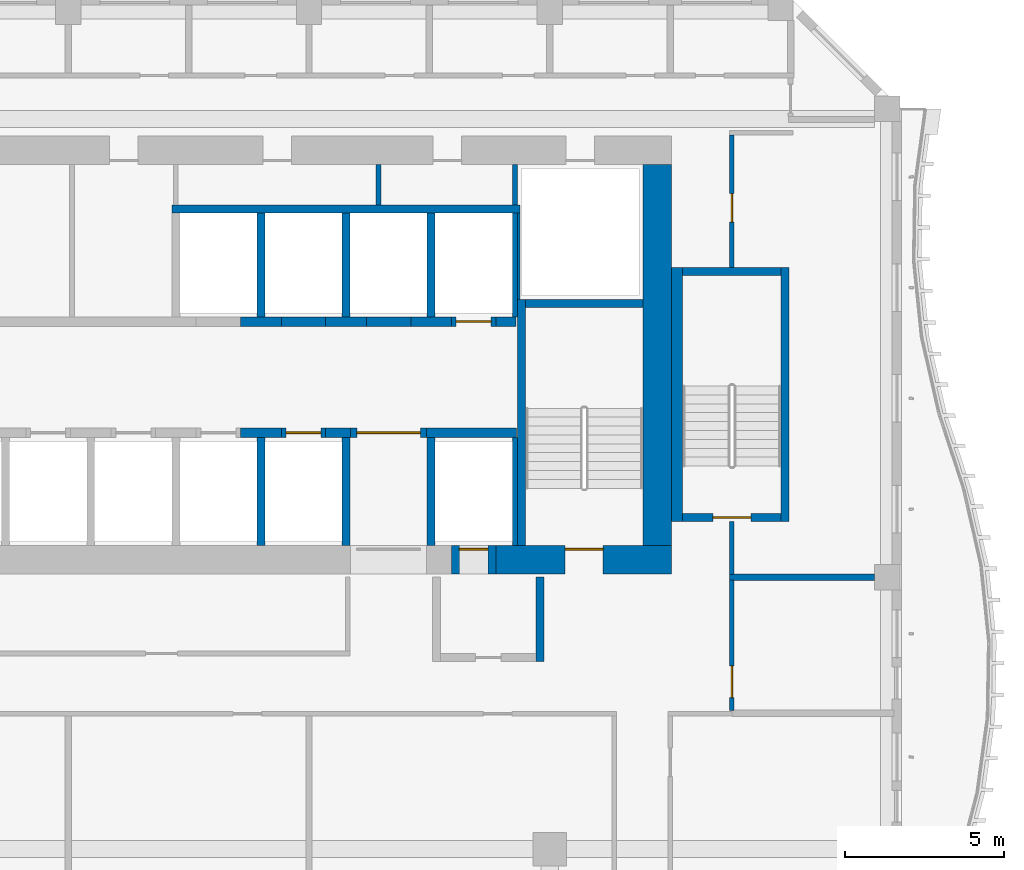
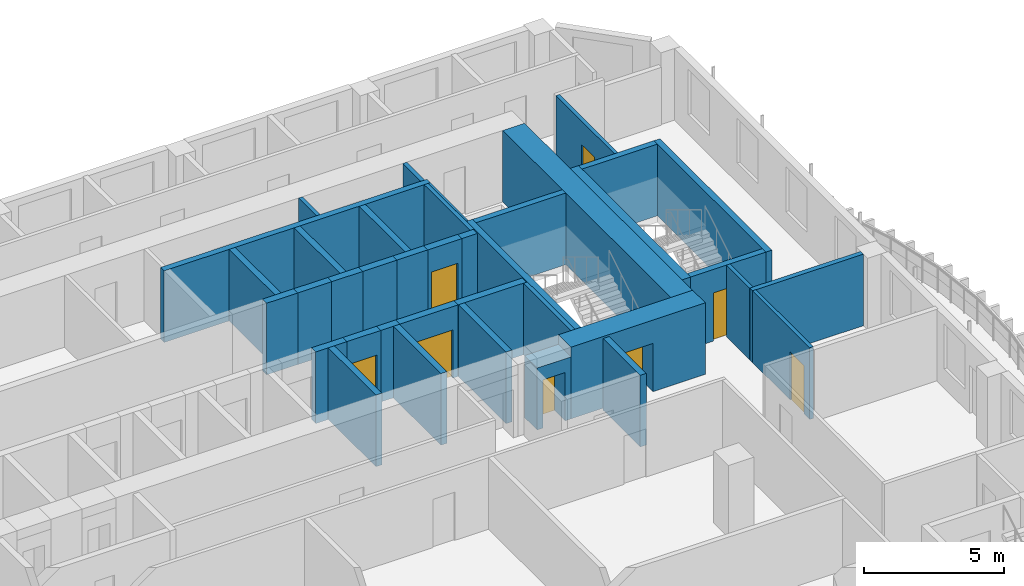
# One storey, part 10 of 24: 38 walls, 8 doors, 8 openings.
"""IFC4 building model written with IfcOpenShell, lengths in metres."""

import ifcopenshell
import ifcopenshell.guid

model = None  # the IFC model being written
_history = None  # IfcOwnerHistory: only IFC2X3 demands one
_inside = {}  # id of a spatial element -> (the spatial element, [elements in it])
_under = {}  # id of a project, library or spatial element -> (it, [spatial elements below it])
_declared = {}  # id of a project -> (the project, [libraries it declares])
_typed = {}  # id of a type object -> (the type object, [elements of that type])
_made_of = {}  # id of a material, layer set ... -> (it, [elements and type objects made of it])


def new_model(schema):
    """Start an empty IFC model of exactly this schema.

    Asked for "IFC4X3", IfcOpenShell would pick the latest addendum, in which some entities
    have other attributes; the version numbers below select the first issue.
    IFC2X3 requires an IfcOwnerHistory on every rooted entity: one is made here for all.
    """
    global model, _history
    if schema == "IFC4X3":
        model = ifcopenshell.file(schema_version=(4, 3, 0, 0))
    else:
        model = ifcopenshell.file(schema=schema)
    _inside.clear()
    _under.clear()
    _declared.clear()
    _typed.clear()
    _made_of.clear()
    _history = None
    if model.schema == "IFC2X3":
        org = make("IfcOrganization", Name="unknown")
        user = make(
            "IfcPersonAndOrganization",
            ThePerson=make("IfcPerson", FamilyName="unknown"),
            TheOrganization=org,
        )
        app = make(
            "IfcApplication",
            ApplicationDeveloper=org,
            Version="unknown",
            ApplicationFullName="unknown",
            ApplicationIdentifier="unknown",
        )
        _history = make(
            "IfcOwnerHistory",
            OwningUser=user,
            OwningApplication=app,
            ChangeAction="ADDED",
            CreationDate=0,
        )
    return model


def make(cls, **values):
    """One entity of the class cls with the attributes given. An attribute that is None is left unset."""
    return model.create_entity(
        cls, **{name: value for name, value in values.items() if value is not None}
    )


def rooted(cls, **values):
    """An entity with a GlobalId (a new one), such as an element, a storey or a relation."""
    return make(cls, GlobalId=ifcopenshell.guid.new(), OwnerHistory=_history, **values)


def si_unit(unit_type, name, prefix=None):
    """IfcSIUnit, for example si_unit("LENGTHUNIT", "METRE", prefix="MILLI")."""
    return make("IfcSIUnit", UnitType=unit_type, Prefix=prefix, Name=name)


def assignment(units):
    """IfcUnitAssignment: the units of a project."""
    return None if units is None else make("IfcUnitAssignment", Units=units)


def point(xyz):
    """IfcCartesianPoint."""
    return None if xyz is None else make("IfcCartesianPoint", Coordinates=xyz)


def direction(xyz):
    """IfcDirection."""
    return None if xyz is None else make("IfcDirection", DirectionRatios=xyz)


def frame(location, z_axis=None, x_axis=None):
    """IfcAxis2Placement3D, a coordinate frame: its origin and axes. An axis left out is left unset."""
    return make(
        "IfcAxis2Placement3D",
        Location=point(location),
        Axis=direction(z_axis),
        RefDirection=direction(x_axis),
    )


def frame_2d(location, x_axis=None):
    """IfcAxis2Placement2D, a coordinate frame in the plane: its origin and x axis."""
    return make(
        "IfcAxis2Placement2D", Location=point(location), RefDirection=direction(x_axis)
    )


def origin():
    """The frame at (0, 0, 0) with its axes left unset."""
    return frame((0.0, 0.0, 0.0))


def place(relative_to, where):
    """IfcLocalPlacement: puts the frame where relative to a parent placement (None: the world)."""
    return make(
        "IfcLocalPlacement", PlacementRelTo=relative_to, RelativePlacement=where
    )


def context(
    kind, dimensions, precision=None, world=None, true_north=None, identifier=None
):
    """IfcGeometricRepresentationContext, for example the 3D "Model" context."""
    return make(
        "IfcGeometricRepresentationContext",
        ContextIdentifier=identifier,
        ContextType=kind,
        CoordinateSpaceDimension=dimensions,
        Precision=precision,
        WorldCoordinateSystem=world,
        TrueNorth=true_north,
    )


def subcontext(parent, identifier, kind, view, scale=None):
    """IfcGeometricRepresentationSubContext, for example "Body" below "Model"."""
    return make(
        "IfcGeometricRepresentationSubContext",
        ContextIdentifier=identifier,
        ContextType=kind,
        ParentContext=parent,
        TargetScale=scale,
        TargetView=view,
    )


def project(units=None, contexts=None):
    """IfcProject with its units and contexts."""
    return rooted(
        "IfcProject",
        Name="project",
        RepresentationContexts=contexts,
        UnitsInContext=assignment(units),
    )


def spatial(cls, under=None, at=None, **own):
    """A site, building, storey or space (cls), placed at a placement, below another one or the project."""
    s = rooted(cls, ObjectPlacement=at, **own)
    if under is not None:
        _under.setdefault(under.id(), (under, []))[1].append(s)
    return s


def profile(cls, at=None, kind="AREA", **sizes):
    """A parametric profile (cls). Its sizes go by their IFC names, for example OverallWidth=200.0."""
    return make(cls, ProfileType=kind, Position=at, **sizes)


def rectangle(**sizes):
    """IfcRectangleProfileDef."""
    return profile("IfcRectangleProfileDef", **sizes)


def extrude(swept, where, along, depth):
    """IfcExtrudedAreaSolid: the profile swept, set in the frame where, extruded along a direction by depth."""
    return make(
        "IfcExtrudedAreaSolid",
        SweptArea=swept,
        Position=where,
        ExtrudedDirection=direction(along),
        Depth=depth,
    )


def shape(context_of_items, identifier, shape_type, items):
    """IfcShapeRepresentation: the items that make up one representation, for example the "Body"."""
    return make(
        "IfcShapeRepresentation",
        ContextOfItems=context_of_items,
        RepresentationIdentifier=identifier,
        RepresentationType=shape_type,
        Items=items,
    )


def source(mapping_origin, context_of_items, identifier, shape_type, items):
    """IfcRepresentationMap: a shape defined once, which mapped items show again and again."""
    return make(
        "IfcRepresentationMap",
        MappingOrigin=mapping_origin,
        MappedRepresentation=shape(context_of_items, identifier, shape_type, items),
    )


def transform(
    local_origin,
    x_axis=None,
    y_axis=None,
    z_axis=None,
    scale=None,
    scale2=None,
    scale3=None,
    uniform=True,
):
    """IfcCartesianTransformationOperator3D, or its non-uniform kind. x_axis, y_axis, z_axis: its Axis1, 2, 3."""
    if uniform:
        return make(
            "IfcCartesianTransformationOperator3D",
            Axis1=direction(x_axis),
            Axis2=direction(y_axis),
            LocalOrigin=point(local_origin),
            Scale=scale,
            Axis3=direction(z_axis),
        )
    return make(
        "IfcCartesianTransformationOperator3DnonUniform",
        Axis1=direction(x_axis),
        Axis2=direction(y_axis),
        LocalOrigin=point(local_origin),
        Scale=scale,
        Axis3=direction(z_axis),
        Scale2=scale2,
        Scale3=scale3,
    )


def mapped(mapping_source, mapping_target):
    """IfcMappedItem: shows the shape of a source again, moved by a transform."""
    return make(
        "IfcMappedItem", MappingSource=mapping_source, MappingTarget=mapping_target
    )


def material(Name=None, Category=None):
    """IfcMaterial."""
    return make("IfcMaterial", Name=Name, Category=Category)


def layer(
    of_material, thickness, ventilated=None, Name=None, Category=None, Priority=None
):
    """IfcMaterialLayer: one layer of a wall or slab, of a material (None: an air gap)."""
    return make(
        "IfcMaterialLayer",
        Material=of_material,
        LayerThickness=thickness,
        IsVentilated=ventilated,
        Name=Name,
        Category=Category,
        Priority=Priority,
    )


def layer_set(layers, Name=None):
    """IfcMaterialLayerSet."""
    return make("IfcMaterialLayerSet", MaterialLayers=layers, LayerSetName=Name)


def made_of(thing, what):
    """Note that an element or type object is made of a material, layer set ...; save() writes the relation."""
    if what is not None:
        _made_of.setdefault(what.id(), (what, []))[1].append(thing)
    return thing


def type_object(cls, material=None, **own):
    """A type object (cls), such as IfcWallType, which elements share."""
    return made_of(rooted(cls, **own), material)


def element(
    cls,
    number,
    at=None,
    inside=None,
    cuts=None,
    type_object=None,
    material=None,
    context=None,
    identifier="Body",
    shape_type=None,
    held_by="IfcProductDefinitionShape",
    body=None,
    shapes=None,
    **own,
):
    """One element of the class cls, such as IfcWall. Its Tag is "e" and its number.

    at: its placement. inside: the storey or other place that contains it. cuts: it is an
    opening in that element (IfcRelVoidsElement). A single representation is given by context,
    identifier, shape_type and body (its items); several are given by shapes. held_by: the class
    of the entity that holds the representations. save() writes the other relations.
    """
    e = rooted(cls, Tag="e%d" % number, ObjectPlacement=at, **own)
    if body is not None:
        shapes = [shape(context, identifier, shape_type, body)]
    if shapes is not None:
        e.Representation = make(held_by, Representations=shapes)
    if inside is not None:
        _inside.setdefault(inside.id(), (inside, []))[1].append(e)
    if cuts is not None:
        rooted(
            "IfcRelVoidsElement", RelatingBuildingElement=cuts, RelatedOpeningElement=e
        )
    if type_object is not None:
        _typed.setdefault(type_object.id(), (type_object, []))[1].append(e)
    return made_of(e, material)


def fill(opening, filler):
    """IfcRelFillsElement: the door or window that sits in an opening."""
    return rooted(
        "IfcRelFillsElement",
        RelatingOpeningElement=opening,
        RelatedBuildingElement=filler,
    )


def aggregate(whole, parts):
    """IfcRelAggregates: a whole, such as a stair, and the parts it consists of."""
    return rooted("IfcRelAggregates", RelatingObject=whole, RelatedObjects=parts)


def save(model, path):
    """Write the relations noted so far, then the file.

    IfcRelAggregates (storeys below a building ...), IfcRelContainedInSpatialStructure (elements
    in a storey), IfcRelDefinesByType, IfcRelAssociatesMaterial and IfcRelDeclares: one each for
    every whole, place, type object, material and project.
    """
    for whole, parts in _under.values():
        aggregate(whole, parts)
    for where, things in _inside.values():
        rooted(
            "IfcRelContainedInSpatialStructure",
            RelatedElements=things,
            RelatingStructure=where,
        )
    for kind, things in _typed.values():
        rooted("IfcRelDefinesByType", RelatedObjects=things, RelatingType=kind)
    for what, things in _made_of.values():
        rooted("IfcRelAssociatesMaterial", RelatedObjects=things, RelatingMaterial=what)
    for by, libraries in _declared.values():
        rooted("IfcRelDeclares", RelatingContext=by, RelatedDefinitions=libraries)
    model.write(path)


model = new_model("IFC4")

# Units and contexts
model_context = context("Model", 3, precision=1e-05, world=origin(), true_north=direction((0.0, 1.0)))
body_context = subcontext(model_context, "Body", "Model", "MODEL_VIEW")
ifc_project = project(units=[si_unit("LENGTHUNIT", "METRE"), si_unit("AREAUNIT", "SQUARE_METRE"), si_unit("VOLUMEUNIT", "CUBIC_METRE"), si_unit("PLANEANGLEUNIT", "RADIAN"), si_unit("MASSUNIT", "GRAM", prefix="KILO")], contexts=[model_context])

# Site, building, storey
site_placement = place(None, origin())
site = spatial("IfcSite", under=ifc_project, at=site_placement, CompositionType="ELEMENT")
building_placement = place(site_placement, origin())
building = spatial("IfcBuilding", under=site, at=building_placement, Name="Kilnfold Tower and Market Hall", CompositionType="ELEMENT")
storey_placement = place(building_placement, frame((0.0, 0.0, 175.300048828125)))
storey = spatial("IfcBuildingStorey", under=building, at=storey_placement, Name="L41", CompositionType="ELEMENT", Elevation=175.300048828125)

# Wall, opening, door
ifc_material_1 = material(Name="Gypsum board on steel studs", Category="steel")
ifc_layer_1 = layer(ifc_material_1, 0.14990234375)
ifc_layer_set_1 = layer_set([ifc_layer_1], Name="Gypsum board on steel studs")
wall_type_1 = type_object("IfcWallType", Name="WALL CORRIDOR 150", PredefinedType="PARTITIONING", material=ifc_layer_set_1)
wall_1_placement = place(storey_placement, frame((19.89990234375, 3.80908203125, 0.0), z_axis=(0.0, 0.0, 1.0), x_axis=(0.0, 1.0, 0.0)))
wall_1 = element("IfcWall", 1, at=wall_1_placement, inside=storey, type_object=wall_type_1, Name="Partition LY26.29", PredefinedType="PARTITIONING", context=body_context, shape_type="SweptSolid", body=[
    extrude(rectangle(XDim=4.100830078125, YDim=0.14990234375, at=frame_2d((2.05029296875, 0.0))), origin(), (0.0, 0.0, 1.0), 3.119873046875),
])
opening_1_placement = place(wall_1_placement, frame((0.39990234375, 0.0, 0.0)))
opening_1 = element("IfcOpeningElement", 2, at=opening_1_placement, cuts=wall_1, Name="Opening D4", PredefinedType="OPENING", context=body_context, shape_type="SweptSolid", body=[
    extrude(rectangle(XDim=1.0, YDim=2.10009765625, at=frame_2d((0.5, 1.050048828125))), frame((0.0, 0.0849609375, 0.0), z_axis=(0.0, -1.0, 0.0), x_axis=(1.0, 0.0, 0.0)), (0.0, 0.0, 1.0), 0.169921875),
])
ifc_material_2 = material(Name="Timber veneer door leaf in steel frame", Category="steel")
door_type_1 = type_object("IfcDoorType", Name="DOOR SERVICE 1000 X2100", OperationType="NOTDEFINED", PredefinedType="DOOR", material=ifc_material_2)
door_1_placement = place(opening_1_placement, origin())
door_1 = element("IfcDoor", 3, at=door_1_placement, inside=storey, type_object=door_type_1, Name="Door D4", OperationType="SINGLE_SWING_LEFT", OverallHeight=2.10009765625, OverallWidth=1.0, PredefinedType="DOOR", context=body_context, shape_type="SweptSolid", body=[
    extrude(rectangle(XDim=1.0, YDim=2.10009765625, at=frame_2d((0.5, 1.050048828125))), frame((0.0, 0.02490234375, 0.0), z_axis=(0.0, -1.0, 0.0), x_axis=(1.0, 0.0, 0.0)), (0.0, 0.0, 1.0), 0.050048828125),
])
fill(opening_1, door_1)

wall_2_placement = place(storey_placement, frame((19.89990234375, 17.75, 0.0), z_axis=(0.0, 0.0, 1.0), x_axis=(0.0, 1.0, 0.0)))
wall_2 = element("IfcWall", 4, at=wall_2_placement, inside=storey, type_object=wall_type_1, Name="Partition LY26.31", PredefinedType="PARTITIONING", context=body_context, shape_type="SweptSolid", body=[
    extrude(rectangle(XDim=4.175048828125, YDim=0.14990234375, at=frame_2d((2.08740234375, 0.0))), origin(), (0.0, 0.0, 1.0), 3.119873046875),
])
opening_2_placement = place(wall_2_placement, frame((1.431884765625, 0.0, 0.0)))
opening_2 = element("IfcOpeningElement", 5, at=opening_2_placement, cuts=wall_2, Name="Opening D2", PredefinedType="OPENING", context=body_context, shape_type="SweptSolid", body=[
    extrude(rectangle(XDim=0.89990234375, YDim=2.10009765625, at=frame_2d((0.449951171875, 1.050048828125))), frame((0.0, 0.0849609375, 0.0), z_axis=(0.0, -1.0, 0.0), x_axis=(1.0, 0.0, 0.0)), (0.0, 0.0, 1.0), 0.169921875),
])
ifc_material_3 = material(Name="Timber veneer door leaf in steel frame", Category="steel")
door_type_2 = type_object("IfcDoorType", Name="DOOR ROOM 900 X2100", OperationType="NOTDEFINED", PredefinedType="DOOR", material=ifc_material_3)
door_2_placement = place(opening_2_placement, origin())
door_2 = element("IfcDoor", 6, at=door_2_placement, inside=storey, type_object=door_type_2, Name="Door D2", OperationType="SINGLE_SWING_LEFT", OverallHeight=2.10009765625, OverallWidth=0.89990234375, PredefinedType="DOOR", context=body_context, shape_type="SweptSolid", body=[
    extrude(rectangle(XDim=0.89990234375, YDim=2.10009765625, at=frame_2d((0.449951171875, 1.050048828125))), frame((0.0, 0.02490234375, 0.0), z_axis=(0.0, -1.0, 0.0), x_axis=(1.0, 0.0, 0.0)), (0.0, 0.0, 1.0), 0.050048828125),
])
fill(opening_2, door_2)

# Walls
wall_3_placement = place(storey_placement, frame((19.89990234375, 8.090087890625, 0.0), z_axis=(0.0, 0.0, 1.0), x_axis=(0.0, 1.0, 0.0)))
element("IfcWall", 7, at=wall_3_placement, inside=storey, type_object=wall_type_1, Name="Partition LY26.32", PredefinedType="PARTITIONING", context=body_context, shape_type="SweptSolid", body=[
    extrude(rectangle(XDim=1.659912109375, YDim=0.14990234375, at=frame_2d((0.830078125, 0.0))), origin(), (0.0, 0.0, 1.0), 3.119873046875),
])
ifc_material_4 = material(Name="Gypsum board on steel studs", Category="steel")
ifc_layer_2 = layer(ifc_material_4, 0.199951171875)
ifc_layer_set_2 = layer_set([ifc_layer_2], Name="Gypsum board on steel studs")
wall_type_2 = type_object("IfcWallType", Name="WALL PARTY 200", PredefinedType="PARTITIONING", material=ifc_layer_set_2)
wall_4_placement = place(storey_placement, frame((19.826904296875, 8.0, 0.0), z_axis=(0.0, 0.0, 1.0), x_axis=(1.0, 0.0, 0.0)))
element("IfcWall", 8, at=wall_4_placement, inside=storey, type_object=wall_type_2, Name="Partition LY26.118", PredefinedType="PARTITIONING", context=body_context, shape_type="SweptSolid", body=[
    extrude(rectangle(XDim=4.572998046875, YDim=0.199951171875, at=frame_2d((2.28662109375, 0.0))), origin(), (0.0, 0.0, 1.0), 3.119873046875),
])

# Wall, opening, door
ifc_material_5 = material(Name="Concrete C70", Category="concrete")
ifc_layer_3 = layer(ifc_material_5, 0.89990234375)
ifc_layer_set_3 = layer_set([ifc_layer_3], Name="Concrete C70")
wall_type_3 = type_object("IfcWallType", Name="CORE WALL 900 C70", PredefinedType="SHEAR", material=ifc_layer_set_3)
shared_shape_1 = source(origin(), body_context, "Body", "SweptSolid", [
    extrude(rectangle(XDim=5.530029296875, YDim=0.89990234375, at=frame_2d((2.76513671875, 0.0))), origin(), (0.0, 0.0, 1.0), 3.119873046875),
])
wall_5_placement = place(storey_placement, frame((12.469970703125, 8.550048828125, 0.0), z_axis=(0.0, 0.0, 1.0), x_axis=(1.0, 0.0, 0.0)))
wall_5 = element("IfcWall", 9, at=wall_5_placement, inside=storey, type_object=wall_type_3, Name="Core outer wall south", PredefinedType="SHEAR", context=body_context, shape_type="MappedRepresentation", body=[
    mapped(shared_shape_1, transform((0.0, 0.0, 0.0))),
])
opening_3_placement = place(wall_5_placement, frame((2.179931640625, 0.0, 0.0)))
opening_3 = element("IfcOpeningElement", 10, at=opening_3_placement, cuts=wall_5, Name="Opening SD1", PredefinedType="OPENING", context=body_context, shape_type="SweptSolid", body=[
    extrude(rectangle(XDim=1.199951171875, YDim=2.10009765625, at=frame_2d((0.60009765625, 1.050048828125))), frame((0.0, 0.4599609375, 0.0), z_axis=(0.0, -1.0, 0.0), x_axis=(1.0, 0.0, 0.0)), (0.0, 0.0, 1.0), 0.919921875),
])
ifc_material_6 = material(Name="Steel door set with fire-resisting leaf", Category="steel")
door_type_3 = type_object("IfcDoorType", Name="STAIR FLOOR DOOR 1200X2100", OperationType="NOTDEFINED", PredefinedType="DOOR", material=ifc_material_6)
door_3_placement = place(opening_3_placement, origin())
door_3 = element("IfcDoor", 11, at=door_3_placement, inside=storey, type_object=door_type_3, Name="Exit stair ST2 door", OperationType="DOUBLE_DOOR_SINGLE_SWING", OverallHeight=2.10009765625, OverallWidth=1.199951171875, PredefinedType="DOOR", context=body_context, shape_type="SweptSolid", body=[
    extrude(rectangle(XDim=1.199951171875, YDim=2.10009765625, at=frame_2d((0.60009765625, 1.050048828125))), frame((0.0, 0.35498046875, 0.0), z_axis=(0.0, -1.0, 0.0), x_axis=(1.0, 0.0, 0.0)), (0.0, 0.0, 1.0), 0.050048828125),
])
fill(opening_3, door_3)

# Walls
shared_shape_2 = source(origin(), body_context, "Body", "SweptSolid", [
    extrude(rectangle(XDim=12.0, YDim=0.89990234375, at=frame_2d((6.0, 0.0))), origin(), (0.0, 0.0, 1.0), 3.119873046875),
])
wall_6_placement = place(storey_placement, frame((17.550048828125, 9.0, 0.0), z_axis=(0.0, 0.0, 1.0), x_axis=(0.0, 1.0, 0.0)))
element("IfcWall", 12, at=wall_6_placement, inside=storey, type_object=wall_type_3, Name="Core outer wall east", PredefinedType="SHEAR", context=body_context, shape_type="MappedRepresentation", body=[
    mapped(shared_shape_2, transform((0.0, 0.0, 0.0))),
])
ifc_material_7 = material(Name="Concrete C70", Category="concrete")
ifc_layer_4 = layer(ifc_material_7, 0.25)
ifc_layer_set_4 = layer_set([ifc_layer_4], Name="Concrete C70")
wall_type_4 = type_object("IfcWallType", Name="CORE WALL 250 C70", PredefinedType="SHEAR", material=ifc_layer_set_4)
shared_shape_3 = source(origin(), body_context, "Body", "SweptSolid", [
    extrude(rectangle(XDim=7.75, YDim=0.25, at=frame_2d((3.875, 0.0))), origin(), (0.0, 0.0, 1.0), 3.119873046875),
])
wall_7_placement = place(storey_placement, frame((13.27490234375, 9.0, 0.0), z_axis=(0.0, 0.0, 1.0), x_axis=(0.0, 1.0, 0.0)))
element("IfcWall", 13, at=wall_7_placement, inside=storey, type_object=wall_type_4, Name="Stair enclosure ST2", PredefinedType="SHEAR", context=body_context, shape_type="MappedRepresentation", body=[
    mapped(shared_shape_3, transform((0.0, 0.0, 0.0))),
])
shared_shape_4 = source(origin(), body_context, "Body", "SweptSolid", [
    extrude(rectangle(XDim=3.7001953125, YDim=0.25, at=frame_2d((1.85009765625, 0.0))), origin(), (0.0, 0.0, 1.0), 3.119873046875),
])
wall_8_placement = place(storey_placement, frame((13.39990234375, 16.625, 0.0), z_axis=(0.0, 0.0, 1.0), x_axis=(1.0, 0.0, 0.0)))
element("IfcWall", 14, at=wall_8_placement, inside=storey, type_object=wall_type_4, Name="Stair enclosure ST2", PredefinedType="SHEAR", context=body_context, shape_type="MappedRepresentation", body=[
    mapped(shared_shape_4, transform((0.0, 0.0, 0.0))),
])
shared_shape_5 = source(origin(), body_context, "Body", "SweptSolid", [
    extrude(rectangle(XDim=8.0, YDim=0.25, at=frame_2d((4.0, 0.0))), origin(), (0.0, 0.0, 1.0), 3.119873046875),
])
wall_9_placement = place(storey_placement, frame((21.574951171875, 9.75, 0.0), z_axis=(0.0, 0.0, 1.0), x_axis=(0.0, 1.0, 0.0)))
element("IfcWall", 15, at=wall_9_placement, inside=storey, type_object=wall_type_4, Name="Stair enclosure ST5", PredefinedType="SHEAR", context=body_context, shape_type="MappedRepresentation", body=[
    mapped(shared_shape_5, transform((0.0, 0.0, 0.0))),
])
ifc_material_8 = material(Name="Concrete C70", Category="concrete")
ifc_layer_5 = layer(ifc_material_8, 0.35009765625)
ifc_layer_set_5 = layer_set([ifc_layer_5], Name="Concrete C70")
wall_type_5 = type_object("IfcWallType", Name="CORE WALL 350 C70", PredefinedType="SHEAR", material=ifc_layer_set_5)
shared_shape_6 = source(origin(), body_context, "Body", "SweptSolid", [
    extrude(rectangle(XDim=8.0, YDim=0.35009765625, at=frame_2d((4.0, 0.0))), origin(), (0.0, 0.0, 1.0), 3.119873046875),
])
wall_10_placement = place(storey_placement, frame((18.175048828125, 9.75, 0.0), z_axis=(0.0, 0.0, 1.0), x_axis=(0.0, 1.0, 0.0)))
element("IfcWall", 16, at=wall_10_placement, inside=storey, type_object=wall_type_5, Name="Stair enclosure ST5", PredefinedType="SHEAR", context=body_context, shape_type="MappedRepresentation", body=[
    mapped(shared_shape_6, transform((0.0, 0.0, 0.0))),
])

# Wall, opening, door
shared_shape_7 = source(origin(), body_context, "Body", "SweptSolid", [
    extrude(rectangle(XDim=3.099853515625, YDim=0.25, at=frame_2d((1.5498046875, 0.0))), origin(), (0.0, 0.0, 1.0), 3.119873046875),
])
wall_11_placement = place(storey_placement, frame((18.35009765625, 9.875, 0.0), z_axis=(0.0, 0.0, 1.0), x_axis=(1.0, 0.0, 0.0)))
wall_11 = element("IfcWall", 17, at=wall_11_placement, inside=storey, type_object=wall_type_4, Name="Stair enclosure ST5", PredefinedType="SHEAR", context=body_context, shape_type="MappedRepresentation", body=[
    mapped(shared_shape_7, transform((0.0, 0.0, 0.0))),
])
opening_4_placement = place(wall_11_placement, frame((0.949951171875, 0.0, 0.0)))
opening_4 = element("IfcOpeningElement", 18, at=opening_4_placement, cuts=wall_11, Name="Opening SD1", PredefinedType="OPENING", context=body_context, shape_type="SweptSolid", body=[
    extrude(rectangle(XDim=1.199951171875, YDim=2.10009765625, at=frame_2d((0.60009765625, 1.050048828125))), frame((0.0, 0.135009765625, 0.0), z_axis=(0.0, -1.0, 0.0), x_axis=(1.0, 0.0, 0.0)), (0.0, 0.0, 1.0), 0.27001953125),
])
door_4_placement = place(opening_4_placement, origin())
door_4 = element("IfcDoor", 19, at=door_4_placement, inside=storey, type_object=door_type_3, Name="Exit stair ST5 door", OperationType="DOUBLE_DOOR_SINGLE_SWING", OverallHeight=2.10009765625, OverallWidth=1.199951171875, PredefinedType="DOOR", context=body_context, shape_type="SweptSolid", body=[
    extrude(rectangle(XDim=1.199951171875, YDim=2.10009765625, at=frame_2d((0.60009765625, 1.050048828125))), frame((0.0, 0.02490234375, 0.0), z_axis=(0.0, -1.0, 0.0), x_axis=(1.0, 0.0, 0.0)), (0.0, 0.0, 1.0), 0.050048828125),
])
fill(opening_4, door_4)

# Walls
wall_12_placement = place(storey_placement, frame((18.35009765625, 17.625, 0.0), z_axis=(0.0, 0.0, 1.0), x_axis=(1.0, 0.0, 0.0)))
element("IfcWall", 20, at=wall_12_placement, inside=storey, type_object=wall_type_4, Name="Stair enclosure ST5", PredefinedType="SHEAR", context=body_context, shape_type="MappedRepresentation", body=[
    mapped(shared_shape_7, transform((0.0, 0.0, 0.0))),
])
ifc_material_9 = material(Name="Concrete C70", Category="concrete")
ifc_layer_6 = layer(ifc_material_9, 0.300048828125)
ifc_layer_set_6 = layer_set([ifc_layer_6], Name="Concrete C70")
wall_type_6 = type_object("IfcWallType", Name="CORE WALL 300 C70", PredefinedType="SHEAR", material=ifc_layer_set_6)
shared_shape_8 = source(origin(), body_context, "Body", "SweptSolid", [
    extrude(rectangle(XDim=1.280029296875, YDim=0.300048828125, at=frame_2d((0.64013671875, 0.0))), origin(), (0.0, 0.0, 1.0), 3.119873046875),
])
for number, where, z_axis, x_axis, name in (
    (21, (4.429931640625, 12.550048828125, 0.0), (0.0, 0.0, 1.0), (1.0, 0.0, 0.0), "Core spine wall"),
    (22, (4.429931640625, 16.050048828125, 0.0), (0.0, 0.0, 1.0), (1.0, 0.0, 0.0), "Core spine wall"),
    (23, (9.7900390625, 16.050048828125, 0.0), (0.0, 0.0, 1.0), (1.0, 0.0, 0.0), "Core spine wall"),
):
    element("IfcWall", number, at=place(storey_placement, frame(where, z_axis=z_axis, x_axis=x_axis)), inside=storey, type_object=wall_type_6, Name=name, PredefinedType="SHEAR", context=body_context, shape_type="MappedRepresentation", body=[
        mapped(shared_shape_8, transform((0.0, 0.0, 0.0))),
    ])
shared_shape_9 = source(origin(), body_context, "Body", "SweptSolid", [
    extrude(rectangle(XDim=0.77978515625, YDim=0.300048828125, at=frame_2d((0.389892578125, 0.0))), origin(), (0.0, 0.0, 1.0), 3.119873046875),
])
wall_13_placement = place(storey_placement, frame((7.110107421875, 12.550048828125, 0.0), z_axis=(0.0, 0.0, 1.0), x_axis=(1.0, 0.0, 0.0)))
element("IfcWall", 24, at=wall_13_placement, inside=storey, type_object=wall_type_6, Name="Core spine wall", PredefinedType="SHEAR", context=body_context, shape_type="MappedRepresentation", body=[
    mapped(shared_shape_9, transform((0.0, 0.0, 0.0))),
])
shared_shape_10 = source(origin(), body_context, "Body", "SweptSolid", [
    extrude(rectangle(XDim=2.820068359375, YDim=0.300048828125, at=frame_2d((1.41015625, 0.0))), origin(), (0.0, 0.0, 1.0), 3.119873046875),
])
wall_14_placement = place(storey_placement, frame((10.2900390625, 12.550048828125, 0.0), z_axis=(0.0, 0.0, 1.0), x_axis=(1.0, 0.0, 0.0)))
element("IfcWall", 25, at=wall_14_placement, inside=storey, type_object=wall_type_6, Name="Core spine wall", PredefinedType="SHEAR", context=body_context, shape_type="MappedRepresentation", body=[
    mapped(shared_shape_10, transform((0.0, 0.0, 0.0))),
])
shared_shape_11 = source(origin(), body_context, "Body", "SweptSolid", [
    extrude(rectangle(XDim=1.27978515625, YDim=0.300048828125, at=frame_2d((0.639892578125, 0.0))), origin(), (0.0, 0.0, 1.0), 3.119873046875),
])
wall_15_placement = place(storey_placement, frame((7.110107421875, 16.050048828125, 0.0), z_axis=(0.0, 0.0, 1.0), x_axis=(1.0, 0.0, 0.0)))
element("IfcWall", 26, at=wall_15_placement, inside=storey, type_object=wall_type_6, Name="Core spine wall", PredefinedType="SHEAR", context=body_context, shape_type="MappedRepresentation", body=[
    mapped(shared_shape_11, transform((0.0, 0.0, 0.0))),
])
shared_shape_12 = source(origin(), body_context, "Body", "SweptSolid", [
    extrude(rectangle(XDim=0.64013671875, YDim=0.300048828125, at=frame_2d((0.320068359375, 0.0))), origin(), (0.0, 0.0, 1.0), 3.119873046875),
])
wall_16_placement = place(storey_placement, frame((12.469970703125, 16.050048828125, 0.0), z_axis=(0.0, 0.0, 1.0), x_axis=(1.0, 0.0, 0.0)))
element("IfcWall", 27, at=wall_16_placement, inside=storey, type_object=wall_type_6, Name="Core spine wall", PredefinedType="SHEAR", context=body_context, shape_type="MappedRepresentation", body=[
    mapped(shared_shape_12, transform((0.0, 0.0, 0.0))),
])

# Wall, opening, door
ifc_material_10 = material(Name="Gypsum shaft wall system")
ifc_layer_7 = layer(ifc_material_10, 0.89990234375)
ifc_layer_set_7 = layer_set([ifc_layer_7], Name="Gypsum shaft wall system")
wall_type_7 = type_object("IfcWallType", Name="LOBBY WALL 900", PredefinedType="PARTITIONING", material=ifc_layer_set_7)
shared_shape_13 = source(origin(), body_context, "Body", "SweptSolid", [
    extrude(rectangle(XDim=1.39990234375, YDim=0.89990234375, at=frame_2d((0.699951171875, 0.0))), origin(), (0.0, 0.0, 1.0), 2.699951171875),
])
wall_17_placement = place(storey_placement, frame((11.070068359375, 8.550048828125, 0.0), z_axis=(0.0, 0.0, 1.0), x_axis=(1.0, 0.0, 0.0)))
wall_17 = element("IfcWall", 28, at=wall_17_placement, inside=storey, type_object=wall_type_7, Name="Core wall infill", PredefinedType="PARTITIONING", context=body_context, shape_type="MappedRepresentation", body=[
    mapped(shared_shape_13, transform((0.0, 0.0, 0.0))),
])
opening_5_placement = place(wall_17_placement, frame((0.25, 0.0, 0.0)))
opening_5 = element("IfcOpeningElement", 29, at=opening_5_placement, cuts=wall_17, Name="Opening LD1", PredefinedType="OPENING", context=body_context, shape_type="SweptSolid", body=[
    extrude(rectangle(XDim=0.89990234375, YDim=2.10009765625, at=frame_2d((0.449951171875, 1.050048828125))), frame((0.0, 0.4599609375, 0.0), z_axis=(0.0, -1.0, 0.0), x_axis=(1.0, 0.0, 0.0)), (0.0, 0.0, 1.0), 0.919921875),
])
ifc_material_11 = material(Name="Steel door set with fire-resisting leaf", Category="steel")
door_type_4 = type_object("IfcDoorType", Name="FIREFIGHTING LANDING DOOR 900X2100", OperationType="NOTDEFINED", PredefinedType="DOOR", material=ifc_material_11)
door_5_placement = place(opening_5_placement, origin())
door_5 = element("IfcDoor", 30, at=door_5_placement, inside=storey, type_object=door_type_4, Name="Landing door FF3", OperationType="SLIDING_TO_LEFT", OverallHeight=2.10009765625, OverallWidth=0.89990234375, PredefinedType="DOOR", context=body_context, shape_type="SweptSolid", body=[
    extrude(rectangle(XDim=0.89990234375, YDim=2.10009765625, at=frame_2d((0.449951171875, 1.050048828125))), frame((0.0, 0.35498046875, 0.0), z_axis=(0.0, -1.0, 0.0), x_axis=(1.0, 0.0, 0.0)), (0.0, 0.0, 1.0), 0.050048828125),
])
fill(opening_5, door_5)

ifc_material_12 = material(Name="Gypsum shaft wall system")
ifc_layer_8 = layer(ifc_material_12, 0.300048828125)
ifc_layer_set_8 = layer_set([ifc_layer_8], Name="Gypsum shaft wall system")
wall_type_8 = type_object("IfcWallType", Name="SHAFT WALL 300", PredefinedType="PARTITIONING", material=ifc_layer_set_8)
shared_shape_14 = source(origin(), body_context, "Body", "SweptSolid", [
    extrude(rectangle(XDim=1.39990234375, YDim=0.300048828125, at=frame_2d((0.699951171875, 0.0))), origin(), (0.0, 0.0, 1.0), 3.119873046875),
])
wall_18_placement = place(storey_placement, frame((11.070068359375, 16.050048828125, 0.0), z_axis=(0.0, 0.0, 1.0), x_axis=(1.0, 0.0, 0.0)))
wall_18 = element("IfcWall", 31, at=wall_18_placement, inside=storey, type_object=wall_type_8, Name="Lift shaft front wall", PredefinedType="PARTITIONING", context=body_context, shape_type="MappedRepresentation", body=[
    mapped(shared_shape_14, transform((0.0, 0.0, 0.0))),
])
opening_6_placement = place(wall_18_placement, frame((0.14990234375, 0.0, 0.0)))
opening_6 = element("IfcOpeningElement", 32, at=opening_6_placement, cuts=wall_18, Name="Opening LD2", PredefinedType="OPENING", context=body_context, shape_type="SweptSolid", body=[
    extrude(rectangle(XDim=1.10009765625, YDim=2.10009765625, at=frame_2d((0.550048828125, 1.050048828125))), frame((0.0, 0.16015625, 0.0), z_axis=(0.0, -1.0, 0.0), x_axis=(1.0, 0.0, 0.0)), (0.0, 0.0, 1.0), 0.320068359375),
])
ifc_material_13 = material(Name="Steel door set with fire-resisting leaf", Category="steel")
door_type_5 = type_object("IfcDoorType", Name="LANDING DOOR 1100X2100", OperationType="NOTDEFINED", PredefinedType="DOOR", material=ifc_material_13)
door_6_placement = place(opening_6_placement, origin())
door_6 = element("IfcDoor", 33, at=door_6_placement, inside=storey, type_object=door_type_5, Name="Landing door MR6", OperationType="DOUBLE_DOOR_SLIDING", OverallHeight=2.10009765625, OverallWidth=1.10009765625, PredefinedType="DOOR", context=body_context, shape_type="SweptSolid", body=[
    extrude(rectangle(XDim=1.10009765625, YDim=2.10009765625, at=frame_2d((0.550048828125, 1.050048828125))), frame((0.0, 0.02490234375, 0.0), z_axis=(0.0, -1.0, 0.0), x_axis=(1.0, 0.0, 0.0)), (0.0, 0.0, 1.0), 0.050048828125),
])
fill(opening_6, door_6)

shared_shape_15 = source(origin(), body_context, "Body", "SweptSolid", [
    extrude(rectangle(XDim=1.400146484375, YDim=0.300048828125, at=frame_2d((0.7001953125, 0.0))), origin(), (0.0, 0.0, 1.0), 3.119873046875),
])
wall_19_placement = place(storey_placement, frame((5.7099609375, 12.550048828125, 0.0), z_axis=(0.0, 0.0, 1.0), x_axis=(1.0, 0.0, 0.0)))
wall_19 = element("IfcWall", 34, at=wall_19_placement, inside=storey, type_object=wall_type_8, Name="Lift shaft front wall", PredefinedType="PARTITIONING", context=body_context, shape_type="MappedRepresentation", body=[
    mapped(shared_shape_15, transform((0.0, 0.0, 0.0))),
])
opening_7_placement = place(wall_19_placement, frame((0.14990234375, 0.0, 0.0)))
opening_7 = element("IfcOpeningElement", 35, at=opening_7_placement, cuts=wall_19, Name="Opening LD2", PredefinedType="OPENING", context=body_context, shape_type="SweptSolid", body=[
    extrude(rectangle(XDim=1.10009765625, YDim=2.10009765625, at=frame_2d((0.550048828125, 1.050048828125))), frame((0.0, 0.16015625, 0.0), z_axis=(0.0, -1.0, 0.0), x_axis=(1.0, 0.0, 0.0)), (0.0, 0.0, 1.0), 0.320068359375),
])
door_7_placement = place(opening_7_placement, origin())
door_7 = element("IfcDoor", 36, at=door_7_placement, inside=storey, type_object=door_type_5, Name="Landing door MR5", OperationType="DOUBLE_DOOR_SLIDING", OverallHeight=2.10009765625, OverallWidth=1.10009765625, PredefinedType="DOOR", context=body_context, shape_type="SweptSolid", body=[
    extrude(rectangle(XDim=1.10009765625, YDim=2.10009765625, at=frame_2d((0.550048828125, 1.050048828125))), frame((0.0, 0.02490234375, 0.0), z_axis=(0.0, -1.0, 0.0), x_axis=(1.0, 0.0, 0.0)), (0.0, 0.0, 1.0), 0.050048828125),
])
fill(opening_7, door_7)

# Walls
for number, where, z_axis, x_axis, name in (
    (37, (5.7099609375, 16.050048828125, 0.0), (0.0, 0.0, 1.0), (1.0, 0.0, 0.0), "Lift shaft front wall"),
    (38, (8.389892578125, 16.050048828125, 0.0), (0.0, 0.0, 1.0), (1.0, 0.0, 0.0), "Lift shaft front wall"),
):
    element("IfcWall", number, at=place(storey_placement, frame(where, z_axis=z_axis, x_axis=x_axis)), inside=storey, type_object=wall_type_8, Name=name, PredefinedType="PARTITIONING", context=body_context, shape_type="MappedRepresentation", body=[
        mapped(shared_shape_15, transform((0.0, 0.0, 0.0))),
    ])

# Wall, opening, door
shared_shape_16 = source(origin(), body_context, "Body", "SweptSolid", [
    extrude(rectangle(XDim=2.400146484375, YDim=0.300048828125, at=frame_2d((1.2001953125, 0.0))), origin(), (0.0, 0.0, 1.0), 3.119873046875),
])
wall_20_placement = place(storey_placement, frame((7.889892578125, 12.550048828125, 0.0), z_axis=(0.0, 0.0, 1.0), x_axis=(1.0, 0.0, 0.0)))
wall_20 = element("IfcWall", 39, at=wall_20_placement, inside=storey, type_object=wall_type_8, Name="Lift shaft front wall", PredefinedType="PARTITIONING", context=body_context, shape_type="MappedRepresentation", body=[
    mapped(shared_shape_16, transform((0.0, 0.0, 0.0))),
])
opening_8_placement = place(wall_20_placement, frame((0.199951171875, 0.0, 0.0)))
opening_8 = element("IfcOpeningElement", 40, at=opening_8_placement, cuts=wall_20, Name="Opening VD2", PredefinedType="OPENING", context=body_context, shape_type="SweptSolid", body=[
    extrude(rectangle(XDim=2.0, YDim=2.10009765625, at=frame_2d((1.0, 1.050048828125))), frame((0.0, 0.16015625, 0.0), z_axis=(0.0, -1.0, 0.0), x_axis=(1.0, 0.0, 0.0)), (0.0, 0.0, 1.0), 0.320068359375),
])
ifc_material_14 = material(Name="Steel door set with fire-resisting leaf", Category="steel")
door_type_6 = type_object("IfcDoorType", Name="LIFT LOBBY ENTRANCE DOOR 2000X2100", OperationType="NOTDEFINED", PredefinedType="DOOR", material=ifc_material_14)
door_8_placement = place(opening_8_placement, origin())
door_8 = element("IfcDoor", 41, at=door_8_placement, inside=storey, type_object=door_type_6, Name="Lift lobby entrance door", OperationType="DOUBLE_DOOR_SINGLE_SWING", OverallHeight=2.10009765625, OverallWidth=2.0, PredefinedType="DOOR", context=body_context, shape_type="SweptSolid", body=[
    extrude(rectangle(XDim=2.0, YDim=2.10009765625, at=frame_2d((1.0, 1.050048828125))), frame((0.0, 0.02490234375, 0.0), z_axis=(0.0, -1.0, 0.0), x_axis=(1.0, 0.0, 0.0)), (0.0, 0.0, 1.0), 0.050048828125),
])
fill(opening_8, door_8)

# Walls
ifc_material_15 = material(Name="Gypsum shaft wall system")
ifc_layer_9 = layer(ifc_material_15, 0.25)
ifc_layer_set_9 = layer_set([ifc_layer_9], Name="Gypsum shaft wall system")
wall_type_9 = type_object("IfcWallType", Name="LOBBY WALL 250", PredefinedType="PARTITIONING", material=ifc_layer_set_9)
shared_shape_17 = source(origin(), body_context, "Body", "SweptSolid", [
    extrude(rectangle(XDim=2.64990234375, YDim=0.25, at=frame_2d((1.324951171875, 0.0))), origin(), (0.0, 0.0, 1.0), 3.119873046875),
])
wall_21_placement = place(storey_placement, frame((13.85498046875, 5.35009765625, 0.0), z_axis=(0.0, 0.0, 1.0), x_axis=(0.0, 1.0, 0.0)))
element("IfcWall", 42, at=wall_21_placement, inside=storey, type_object=wall_type_9, Name="Firefighting lobby wall", PredefinedType="PARTITIONING", context=body_context, shape_type="MappedRepresentation", body=[
    mapped(shared_shape_17, transform((0.0, 0.0, 0.0))),
])
ifc_material_16 = material(Name="Gypsum shaft wall system")
ifc_layer_10 = layer(ifc_material_16, 0.25)
ifc_layer_set_10 = layer_set([ifc_layer_10], Name="Gypsum shaft wall system")
wall_type_10 = type_object("IfcWallType", Name="SHAFT WALL 250", PredefinedType="PARTITIONING", material=ifc_layer_set_10)
shared_shape_18 = source(origin(), body_context, "Body", "SweptSolid", [
    extrude(rectangle(XDim=10.97021484375, YDim=0.25, at=frame_2d((5.485107421875, 0.0))), origin(), (0.0, 0.0, 1.0), 3.119873046875),
])
wall_22_placement = place(storey_placement, frame((2.264892578125, 19.60009765625, 0.0), z_axis=(0.0, 0.0, 1.0), x_axis=(1.0, 0.0, 0.0)))
element("IfcWall", 43, at=wall_22_placement, inside=storey, type_object=wall_type_10, Name="Lift shaft wall", PredefinedType="PARTITIONING", context=body_context, shape_type="MappedRepresentation", body=[
    mapped(shared_shape_18, transform((0.0, 0.0, 0.0))),
])
ifc_material_17 = material(Name="Gypsum shaft wall system")
ifc_layer_11 = layer(ifc_material_17, 0.1650390625)
ifc_layer_set_11 = layer_set([ifc_layer_11], Name="Gypsum shaft wall system")
wall_type_11 = type_object("IfcWallType", Name="SHAFT WALL 165", PredefinedType="PARTITIONING", material=ifc_layer_set_11)
shared_shape_19 = source(origin(), body_context, "Body", "SweptSolid", [
    extrude(rectangle(XDim=3.275146484375, YDim=0.1650390625, at=frame_2d((1.6376953125, 0.0))), origin(), (0.0, 0.0, 1.0), 3.119873046875),
])
wall_23_placement = place(storey_placement, frame((13.0673828125, 16.199951171875, 0.0), z_axis=(0.0, 0.0, 1.0), x_axis=(0.0, 1.0, 0.0)))
element("IfcWall", 44, at=wall_23_placement, inside=storey, type_object=wall_type_11, Name="Lift shaft wall", PredefinedType="PARTITIONING", context=body_context, shape_type="MappedRepresentation", body=[
    mapped(shared_shape_19, transform((0.0, 0.0, 0.0))),
])
shared_shape_20 = source(origin(), body_context, "Body", "SweptSolid", [
    extrude(rectangle(XDim=1.27490234375, YDim=0.1650390625, at=frame_2d((0.637451171875, 0.0))), origin(), (0.0, 0.0, 1.0), 3.119873046875),
])
wall_24_placement = place(storey_placement, frame((13.0673828125, 19.72509765625, 0.0), z_axis=(0.0, 0.0, 1.0), x_axis=(0.0, 1.0, 0.0)))
element("IfcWall", 45, at=wall_24_placement, inside=storey, type_object=wall_type_11, Name="Lift shaft wall", PredefinedType="PARTITIONING", context=body_context, shape_type="MappedRepresentation", body=[
    mapped(shared_shape_20, transform((0.0, 0.0, 0.0))),
])
shared_shape_21 = source(origin(), body_context, "Body", "SweptSolid", [
    extrude(rectangle(XDim=3.275146484375, YDim=0.25, at=frame_2d((1.6376953125, 0.0))), origin(), (0.0, 0.0, 1.0), 3.119873046875),
])
for number, where, z_axis, x_axis, name in (
    (46, (10.429931640625, 16.199951171875, 0.0), (0.0, 0.0, 1.0), (0.0, 1.0, 0.0), "Lift shaft wall"),
    (47, (5.070068359375, 16.199951171875, 0.0), (0.0, 0.0, 1.0), (0.0, 1.0, 0.0), "Lift shaft wall"),
    (48, (7.75, 16.199951171875, 0.0), (0.0, 0.0, 1.0), (0.0, 1.0, 0.0), "Lift shaft wall"),
):
    element("IfcWall", number, at=place(storey_placement, frame(where, z_axis=z_axis, x_axis=x_axis)), inside=storey, type_object=wall_type_10, Name=name, PredefinedType="PARTITIONING", context=body_context, shape_type="MappedRepresentation", body=[
        mapped(shared_shape_21, transform((0.0, 0.0, 0.0))),
    ])
ifc_material_18 = material(Name="Gypsum shaft wall system")
ifc_layer_12 = layer(ifc_material_18, 0.0849609375)
ifc_layer_set_12 = layer_set([ifc_layer_12], Name="Gypsum shaft wall system")
wall_type_12 = type_object("IfcWallType", Name="SHAFT WALL 85", PredefinedType="PARTITIONING", material=ifc_layer_set_12)
shared_shape_22 = source(origin(), body_context, "Body", "SweptSolid", [
    extrude(rectangle(XDim=2.72509765625, YDim=0.0849609375, at=frame_2d((1.362548828125, 0.0))), origin(), (0.0, 0.0, 1.0), 3.119873046875),
])
wall_25_placement = place(storey_placement, frame((13.1923828125, 16.75, 0.0), z_axis=(0.0, 0.0, 1.0), x_axis=(0.0, 1.0, 0.0)))
element("IfcWall", 49, at=wall_25_placement, inside=storey, type_object=wall_type_12, Name="Lift shaft wall", PredefinedType="PARTITIONING", context=body_context, shape_type="MappedRepresentation", body=[
    mapped(shared_shape_22, transform((0.0, 0.0, 0.0))),
])
shared_shape_23 = source(origin(), body_context, "Body", "SweptSolid", [
    extrude(rectangle(XDim=3.39990234375, YDim=0.25, at=frame_2d((1.699951171875, 0.0))), origin(), (0.0, 0.0, 1.0), 3.119873046875),
])
for number, where, z_axis, x_axis, name in (
    (50, (10.429931640625, 9.0, 0.0), (0.0, 0.0, 1.0), (0.0, 1.0, 0.0), "Lift shaft wall"),
    (51, (5.070068359375, 9.0, 0.0), (0.0, 0.0, 1.0), (0.0, 1.0, 0.0), "Lift shaft wall"),
    (52, (7.75, 9.0, 0.0), (0.0, 0.0, 1.0), (0.0, 1.0, 0.0), "Lift shaft wall"),
):
    element("IfcWall", number, at=place(storey_placement, frame(where, z_axis=z_axis, x_axis=x_axis)), inside=storey, type_object=wall_type_10, Name=name, PredefinedType="PARTITIONING", context=body_context, shape_type="MappedRepresentation", body=[
        mapped(shared_shape_23, transform((0.0, 0.0, 0.0))),
    ])
shared_shape_24 = source(origin(), body_context, "Body", "SweptSolid", [
    extrude(rectangle(XDim=3.39990234375, YDim=0.1650390625, at=frame_2d((1.699951171875, 0.0))), origin(), (0.0, 0.0, 1.0), 3.119873046875),
])
wall_26_placement = place(storey_placement, frame((13.0673828125, 9.0, 0.0), z_axis=(0.0, 0.0, 1.0), x_axis=(0.0, 1.0, 0.0)))
element("IfcWall", 53, at=wall_26_placement, inside=storey, type_object=wall_type_11, Name="Lift shaft wall", PredefinedType="PARTITIONING", context=body_context, shape_type="MappedRepresentation", body=[
    mapped(shared_shape_24, transform((0.0, 0.0, 0.0))),
])
ifc_material_19 = material(Name="Gypsum shaft wall system")
ifc_layer_13 = layer(ifc_material_19, 0.14990234375)
ifc_layer_set_13 = layer_set([ifc_layer_13], Name="Gypsum shaft wall system")
wall_type_13 = type_object("IfcWallType", Name="ROOM WALL 150", PredefinedType="PARTITIONING", material=ifc_layer_set_13)
shared_shape_25 = source(origin(), body_context, "Body", "SweptSolid", [
    extrude(rectangle(XDim=1.27490234375, YDim=0.14990234375, at=frame_2d((0.637451171875, 0.0))), origin(), (0.0, 0.0, 1.0), 3.119873046875),
])
wall_27_placement = place(storey_placement, frame((8.768310546875, 19.72509765625, 0.0), z_axis=(0.0, 0.0, 1.0), x_axis=(0.0, 1.0, 0.0)))
element("IfcWall", 54, at=wall_27_placement, inside=storey, type_object=wall_type_13, Name="Core room wall", PredefinedType="PARTITIONING", context=body_context, shape_type="MappedRepresentation", body=[
    mapped(shared_shape_25, transform((0.0, 0.0, 0.0))),
])

save(model, "model.ifc")
